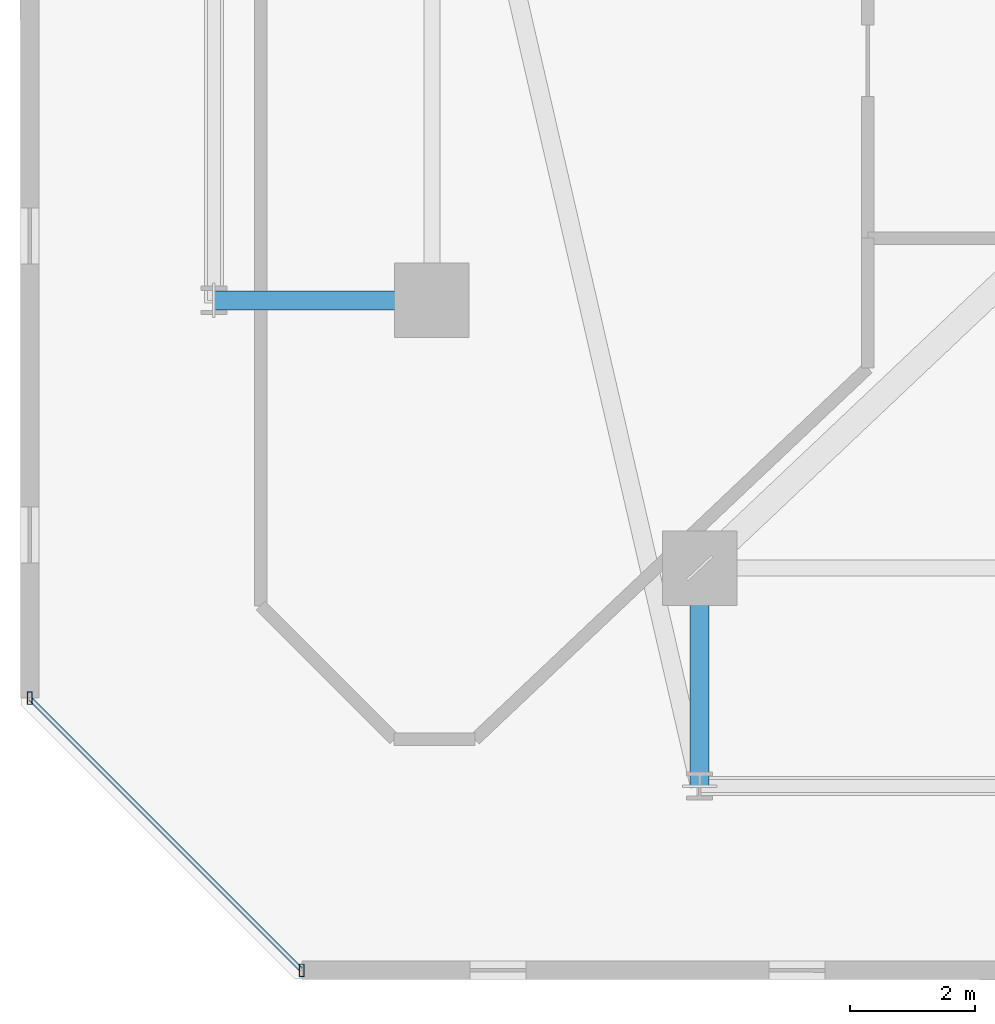
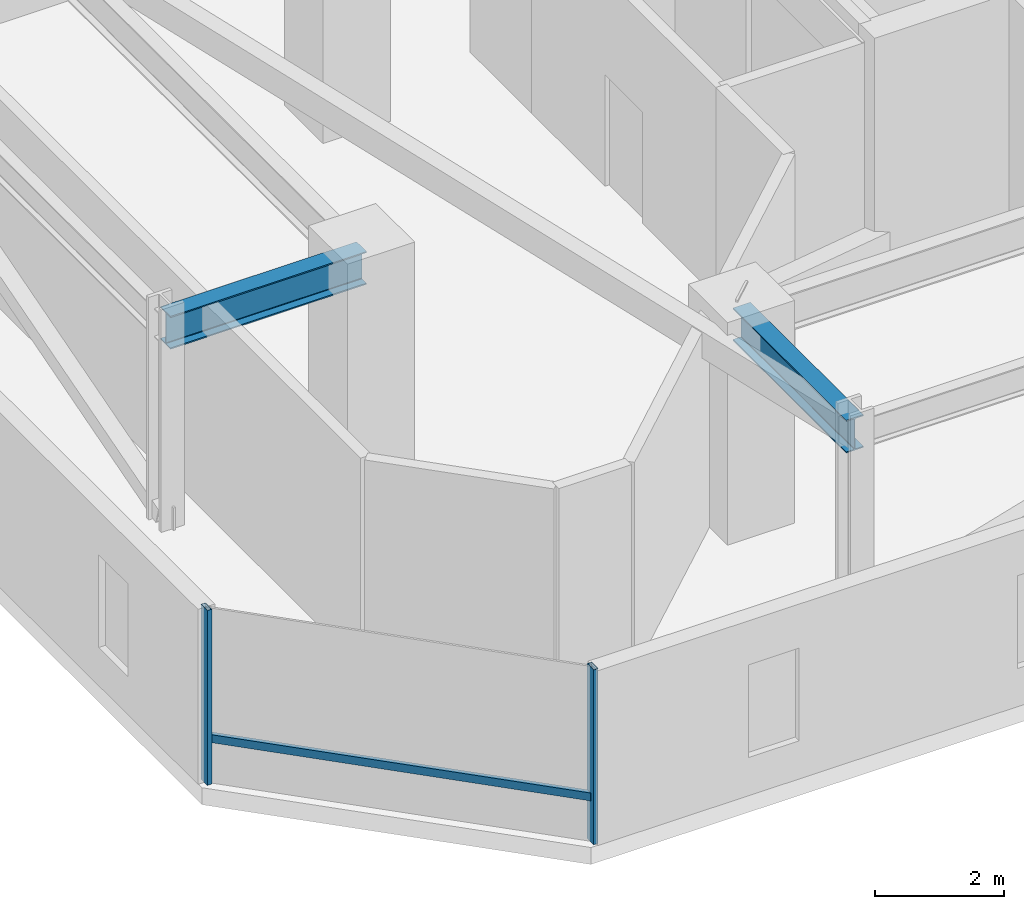
# One storey, part 3 of 45: 3 members, 2 beams, 1 element without a shape of its own.
"""IFC4 building model written with IfcOpenShell, lengths in metres."""

import ifcopenshell
import ifcopenshell.guid

model = None  # the IFC model being written
_history = None  # IfcOwnerHistory: only IFC2X3 demands one
_inside = {}  # id of a spatial element -> (the spatial element, [elements in it])
_under = {}  # id of a project, library or spatial element -> (it, [spatial elements below it])
_declared = {}  # id of a project -> (the project, [libraries it declares])
_typed = {}  # id of a type object -> (the type object, [elements of that type])
_made_of = {}  # id of a material, layer set ... -> (it, [elements and type objects made of it])


def new_model(schema):
    """Start an empty IFC model of exactly this schema.

    Asked for "IFC4X3", IfcOpenShell would pick the latest addendum, in which some entities
    have other attributes; the version numbers below select the first issue.
    IFC2X3 requires an IfcOwnerHistory on every rooted entity: one is made here for all.
    """
    global model, _history
    if schema == "IFC4X3":
        model = ifcopenshell.file(schema_version=(4, 3, 0, 0))
    else:
        model = ifcopenshell.file(schema=schema)
    _inside.clear()
    _under.clear()
    _declared.clear()
    _typed.clear()
    _made_of.clear()
    _history = None
    if model.schema == "IFC2X3":
        org = make("IfcOrganization", Name="unknown")
        user = make(
            "IfcPersonAndOrganization",
            ThePerson=make("IfcPerson", FamilyName="unknown"),
            TheOrganization=org,
        )
        app = make(
            "IfcApplication",
            ApplicationDeveloper=org,
            Version="unknown",
            ApplicationFullName="unknown",
            ApplicationIdentifier="unknown",
        )
        _history = make(
            "IfcOwnerHistory",
            OwningUser=user,
            OwningApplication=app,
            ChangeAction="ADDED",
            CreationDate=0,
        )
    return model


def make(cls, **values):
    """One entity of the class cls with the attributes given. An attribute that is None is left unset."""
    return model.create_entity(
        cls, **{name: value for name, value in values.items() if value is not None}
    )


def rooted(cls, **values):
    """An entity with a GlobalId (a new one), such as an element, a storey or a relation."""
    return make(cls, GlobalId=ifcopenshell.guid.new(), OwnerHistory=_history, **values)


def si_unit(unit_type, name, prefix=None):
    """IfcSIUnit, for example si_unit("LENGTHUNIT", "METRE", prefix="MILLI")."""
    return make("IfcSIUnit", UnitType=unit_type, Prefix=prefix, Name=name)


def assignment(units):
    """IfcUnitAssignment: the units of a project."""
    return None if units is None else make("IfcUnitAssignment", Units=units)


def point(xyz):
    """IfcCartesianPoint."""
    return None if xyz is None else make("IfcCartesianPoint", Coordinates=xyz)


def direction(xyz):
    """IfcDirection."""
    return None if xyz is None else make("IfcDirection", DirectionRatios=xyz)


def frame(location, z_axis=None, x_axis=None):
    """IfcAxis2Placement3D, a coordinate frame: its origin and axes. An axis left out is left unset."""
    return make(
        "IfcAxis2Placement3D",
        Location=point(location),
        Axis=direction(z_axis),
        RefDirection=direction(x_axis),
    )


def frame_2d(location, x_axis=None):
    """IfcAxis2Placement2D, a coordinate frame in the plane: its origin and x axis."""
    return make(
        "IfcAxis2Placement2D", Location=point(location), RefDirection=direction(x_axis)
    )


def origin():
    """The frame at (0, 0, 0) with its axes left unset."""
    return frame((0.0, 0.0, 0.0))


def origin_2d():
    """The frame at (0, 0) in the plane with its x axis left unset."""
    return frame_2d((0.0, 0.0))


def place(relative_to, where):
    """IfcLocalPlacement: puts the frame where relative to a parent placement (None: the world)."""
    return make(
        "IfcLocalPlacement", PlacementRelTo=relative_to, RelativePlacement=where
    )


def context(
    kind, dimensions, precision=None, world=None, true_north=None, identifier=None
):
    """IfcGeometricRepresentationContext, for example the 3D "Model" context."""
    return make(
        "IfcGeometricRepresentationContext",
        ContextIdentifier=identifier,
        ContextType=kind,
        CoordinateSpaceDimension=dimensions,
        Precision=precision,
        WorldCoordinateSystem=world,
        TrueNorth=true_north,
    )


def subcontext(parent, identifier, kind, view, scale=None):
    """IfcGeometricRepresentationSubContext, for example "Body" below "Model"."""
    return make(
        "IfcGeometricRepresentationSubContext",
        ContextIdentifier=identifier,
        ContextType=kind,
        ParentContext=parent,
        TargetScale=scale,
        TargetView=view,
    )


def project(units=None, contexts=None):
    """IfcProject with its units and contexts."""
    return rooted(
        "IfcProject",
        Name="project",
        RepresentationContexts=contexts,
        UnitsInContext=assignment(units),
    )


def spatial(cls, under=None, at=None, **own):
    """A site, building, storey or space (cls), placed at a placement, below another one or the project."""
    s = rooted(cls, ObjectPlacement=at, **own)
    if under is not None:
        _under.setdefault(under.id(), (under, []))[1].append(s)
    return s


def profile(cls, at=None, kind="AREA", **sizes):
    """A parametric profile (cls). Its sizes go by their IFC names, for example OverallWidth=200.0."""
    return make(cls, ProfileType=kind, Position=at, **sizes)


def hollow_rectangle(**sizes):
    """IfcRectangleHollowProfileDef."""
    return profile("IfcRectangleHollowProfileDef", **sizes)


def i_section(**sizes):
    """IfcIShapeProfileDef."""
    return profile("IfcIShapeProfileDef", **sizes)


def extrude(swept, where, along, depth):
    """IfcExtrudedAreaSolid: the profile swept, set in the frame where, extruded along a direction by depth."""
    return make(
        "IfcExtrudedAreaSolid",
        SweptArea=swept,
        Position=where,
        ExtrudedDirection=direction(along),
        Depth=depth,
    )


def shape(context_of_items, identifier, shape_type, items):
    """IfcShapeRepresentation: the items that make up one representation, for example the "Body"."""
    return make(
        "IfcShapeRepresentation",
        ContextOfItems=context_of_items,
        RepresentationIdentifier=identifier,
        RepresentationType=shape_type,
        Items=items,
    )


def material(Name=None, Category=None):
    """IfcMaterial."""
    return make("IfcMaterial", Name=Name, Category=Category)


def material_profile(
    of_material, cross_section, Name=None, Category=None, Priority=None
):
    """IfcMaterialProfile: a cross section and its material."""
    return make(
        "IfcMaterialProfile",
        Name=Name,
        Material=of_material,
        Profile=cross_section,
        Priority=Priority,
        Category=Category,
    )


def profile_set(profiles, Name=None, composite=None):
    """IfcMaterialProfileSet."""
    return make(
        "IfcMaterialProfileSet",
        Name=Name,
        MaterialProfiles=profiles,
        CompositeProfile=composite,
    )


def made_of(thing, what):
    """Note that an element or type object is made of a material, layer set ...; save() writes the relation."""
    if what is not None:
        _made_of.setdefault(what.id(), (what, []))[1].append(thing)
    return thing


def type_object(cls, material=None, **own):
    """A type object (cls), such as IfcWallType, which elements share."""
    return made_of(rooted(cls, **own), material)


def element(
    cls,
    number,
    at=None,
    inside=None,
    cuts=None,
    type_object=None,
    material=None,
    context=None,
    identifier="Body",
    shape_type=None,
    held_by="IfcProductDefinitionShape",
    body=None,
    shapes=None,
    **own,
):
    """One element of the class cls, such as IfcWall. Its Tag is "e" and its number.

    at: its placement. inside: the storey or other place that contains it. cuts: it is an
    opening in that element (IfcRelVoidsElement). A single representation is given by context,
    identifier, shape_type and body (its items); several are given by shapes. held_by: the class
    of the entity that holds the representations. save() writes the other relations.
    """
    e = rooted(cls, Tag="e%d" % number, ObjectPlacement=at, **own)
    if body is not None:
        shapes = [shape(context, identifier, shape_type, body)]
    if shapes is not None:
        e.Representation = make(held_by, Representations=shapes)
    if inside is not None:
        _inside.setdefault(inside.id(), (inside, []))[1].append(e)
    if cuts is not None:
        rooted(
            "IfcRelVoidsElement", RelatingBuildingElement=cuts, RelatedOpeningElement=e
        )
    if type_object is not None:
        _typed.setdefault(type_object.id(), (type_object, []))[1].append(e)
    return made_of(e, material)


def aggregate(whole, parts):
    """IfcRelAggregates: a whole, such as a stair, and the parts it consists of."""
    return rooted("IfcRelAggregates", RelatingObject=whole, RelatedObjects=parts)


def save(model, path):
    """Write the relations noted so far, then the file.

    IfcRelAggregates (storeys below a building ...), IfcRelContainedInSpatialStructure (elements
    in a storey), IfcRelDefinesByType, IfcRelAssociatesMaterial and IfcRelDeclares: one each for
    every whole, place, type object, material and project.
    """
    for whole, parts in _under.values():
        aggregate(whole, parts)
    for where, things in _inside.values():
        rooted(
            "IfcRelContainedInSpatialStructure",
            RelatedElements=things,
            RelatingStructure=where,
        )
    for kind, things in _typed.values():
        rooted("IfcRelDefinesByType", RelatedObjects=things, RelatingType=kind)
    for what, things in _made_of.values():
        rooted("IfcRelAssociatesMaterial", RelatedObjects=things, RelatingMaterial=what)
    for by, libraries in _declared.values():
        rooted("IfcRelDeclares", RelatingContext=by, RelatedDefinitions=libraries)
    model.write(path)


model = new_model("IFC4")

# Units and contexts
model_context = context("Model", 3, precision=1e-05, world=origin(), true_north=direction((0.0, 1.0)))
body_context = subcontext(model_context, "Body", "Model", "MODEL_VIEW")
ifc_project = project(units=[si_unit("LENGTHUNIT", "METRE"), si_unit("AREAUNIT", "SQUARE_METRE"), si_unit("VOLUMEUNIT", "CUBIC_METRE"), si_unit("PLANEANGLEUNIT", "RADIAN"), si_unit("MASSUNIT", "GRAM", prefix="KILO")], contexts=[model_context])

# Site, building, storey
site_placement = place(None, origin())
site = spatial("IfcSite", under=ifc_project, at=site_placement, CompositionType="ELEMENT")
building_placement = place(site_placement, origin())
building = spatial("IfcBuilding", under=site, at=building_placement, Name="Thornwick Lancets Civic Towers", CompositionType="ELEMENT")
storey_placement = place(building_placement, frame((0.0, 0.0, 141.300048828125)))
storey = spatial("IfcBuildingStorey", under=building, at=storey_placement, Name="L37", CompositionType="ELEMENT", Elevation=141.300048828125)

# Beams
ifc_material_1 = material(Name="Steel S355JR", Category="steel")
ifc_material_profile_1 = material_profile(ifc_material_1, i_section(OverallWidth=0.30712890625, OverallDepth=0.6201171875, WebThickness=0.01416015625, FlangeThickness=0.023681640625, FilletRadius=0.0166015625, at=origin_2d()), Name="UKB 610x305x179")
ifc_profile_set_1 = profile_set([ifc_material_profile_1], Name="Steel S355JR")
beam_type = type_object("IfcBeamType", Name="BM_GIRD_610_179", PredefinedType="BEAM", material=ifc_profile_set_1)
for number, where, z_axis, x_axis, name in (
    (1, (12.5, 9.699951171875, 3.64990234375), (0.0, -1.0, 0.0), (1.0, 0.0, 0.0), "BM-RAD-L37-A01"),
    (2, (8.199951171875, 14.0, 3.64990234375), (-1.0, 0.0, 0.0), (0.0, -1.0, 0.0), "BM-RAD-L37-A10"),
):
    element("IfcBeam", number, at=place(storey_placement, frame(where, z_axis=z_axis, x_axis=x_axis)), inside=storey, type_object=beam_type, Name=name, PredefinedType="BEAM", context=body_context, shape_type="SweptSolid", body=[
        extrude(i_section(OverallWidth=0.30712890625, OverallDepth=0.6201171875, WebThickness=0.01416015625, FlangeThickness=0.023681640625, FilletRadius=0.0166015625, at=origin_2d()), origin(), (0.0, 0.0, 1.0), 3.5),
    ])

# Curtain wall, members
ifc_material_2 = material(Name="Mid-zone chamfered-corner unitised glass curtain wall", Category="glass")
curtain_wall_type = type_object("IfcCurtainWallType", Name="CW_SYS_04", PredefinedType="NOTDEFINED", material=ifc_material_2)
curtain_wall_placement = place(storey_placement, origin())
curtain_wall = element("IfcCurtainWall", 3, at=curtain_wall_placement, inside=storey, type_object=curtain_wall_type, Name="L37 Curtain Wall CW-L37-A-E7", PredefinedType="NOTDEFINED")
ifc_material_3 = material(Name="Thermally broken bronze aluminium S355", Category="steel")
ifc_material_profile_2 = material_profile(ifc_material_3, hollow_rectangle(XDim=0.080078125, YDim=0.199951171875, WallThickness=0.006103515625, at=origin_2d()), Name="RHS 200x80x6")
ifc_profile_set_2 = profile_set([ifc_material_profile_2], Name="Thermally broken bronze aluminium S355")
member_type_1 = type_object("IfcMemberType", Name="CW_MUL_200", PredefinedType="MULLION", material=ifc_profile_set_2)
member_1_placement = place(storey_placement, frame((1.7412109375, 7.611572265625, 0.0), z_axis=(0.0, 0.0, 1.0), x_axis=(1.0, 0.0, 0.0)))
member_1 = element("IfcMember", 4, at=member_1_placement, type_object=member_type_1, Name="CW-L37-A-E7 Mullion 0", PredefinedType="MULLION", context=body_context, shape_type="SweptSolid", body=[
    extrude(hollow_rectangle(XDim=0.080078125, YDim=0.199951171875, WallThickness=0.006103515625, at=origin_2d()), origin(), (0.0, 0.0, 1.0), 3.300048828125),
])
member_2_placement = place(storey_placement, frame((6.111572265625, 3.2412109375, 0.0), z_axis=(0.0, 0.0, 1.0), x_axis=(1.0, 0.0, 0.0)))
member_2 = element("IfcMember", 5, at=member_2_placement, type_object=member_type_1, Name="CW-L37-A-E7 Mullion 1", PredefinedType="MULLION", context=body_context, shape_type="SweptSolid", body=[
    extrude(hollow_rectangle(XDim=0.080078125, YDim=0.199951171875, WallThickness=0.006103515625, at=origin_2d()), origin(), (0.0, 0.0, 1.0), 3.300048828125),
])
ifc_material_profile_3 = material_profile(ifc_material_3, hollow_rectangle(XDim=0.074951171875, YDim=0.14990234375, WallThickness=0.0048828125, at=origin_2d()), Name="RHS 150x75x5")
ifc_profile_set_3 = profile_set([ifc_material_profile_3], Name="Thermally broken bronze aluminium S355")
member_type_2 = type_object("IfcMemberType", Name="CW_TRN_150", PredefinedType="USERDEFINED", material=ifc_profile_set_3)
member_3_placement = place(storey_placement, frame((1.75537109375, 7.597412109375, 0.849853515625), z_axis=(0.707106781187, -0.707106781187, 0.0), x_axis=(0.707106781187, 0.707106781187, 0.0)))
member_3 = element("IfcMember", 6, at=member_3_placement, type_object=member_type_2, Name="CW-L37-A-E7 Transom 0", ObjectType="TRANSOM", PredefinedType="USERDEFINED", context=body_context, shape_type="SweptSolid", body=[
    extrude(hollow_rectangle(XDim=0.074951171875, YDim=0.14990234375, WallThickness=0.0048828125, at=origin_2d()), origin(), (0.0, 0.0, 1.0), 6.140625),
])
aggregate(curtain_wall, [member_1, member_2, member_3])

save(model, "model.ifc")
